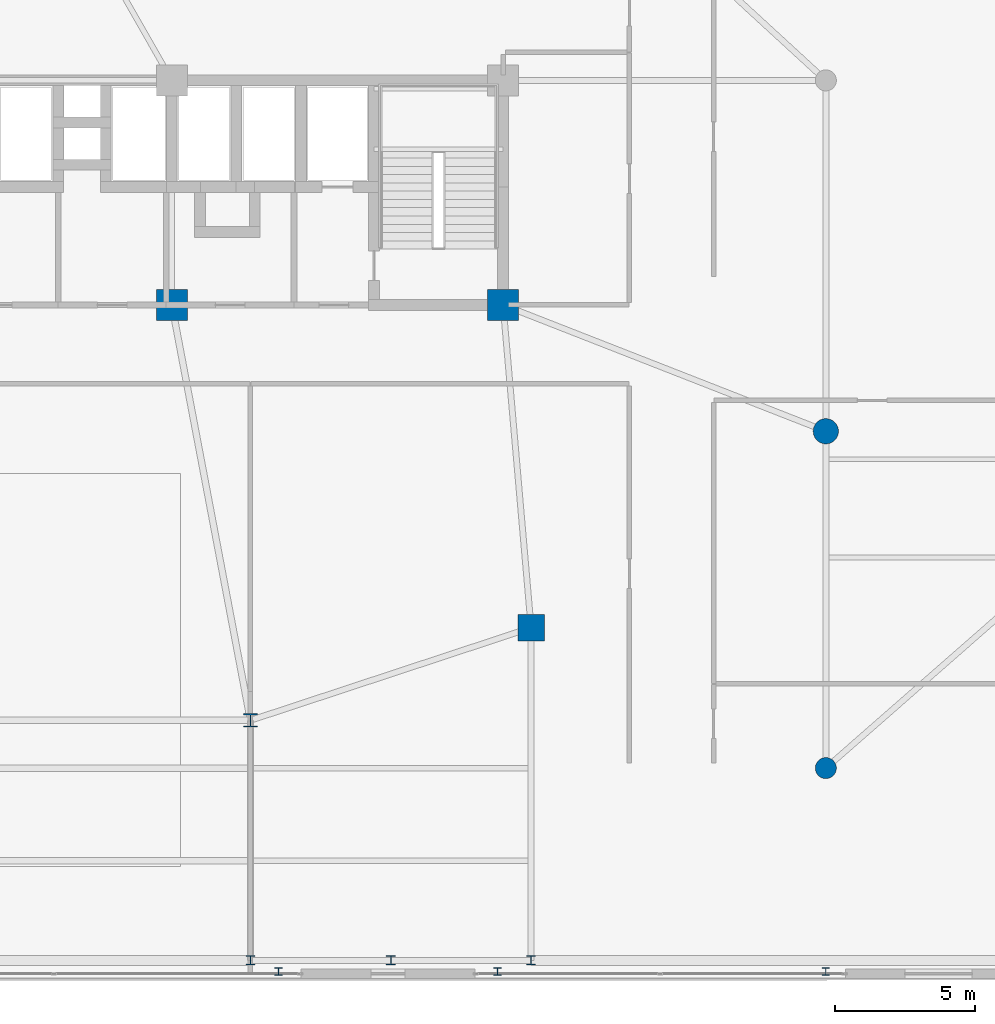
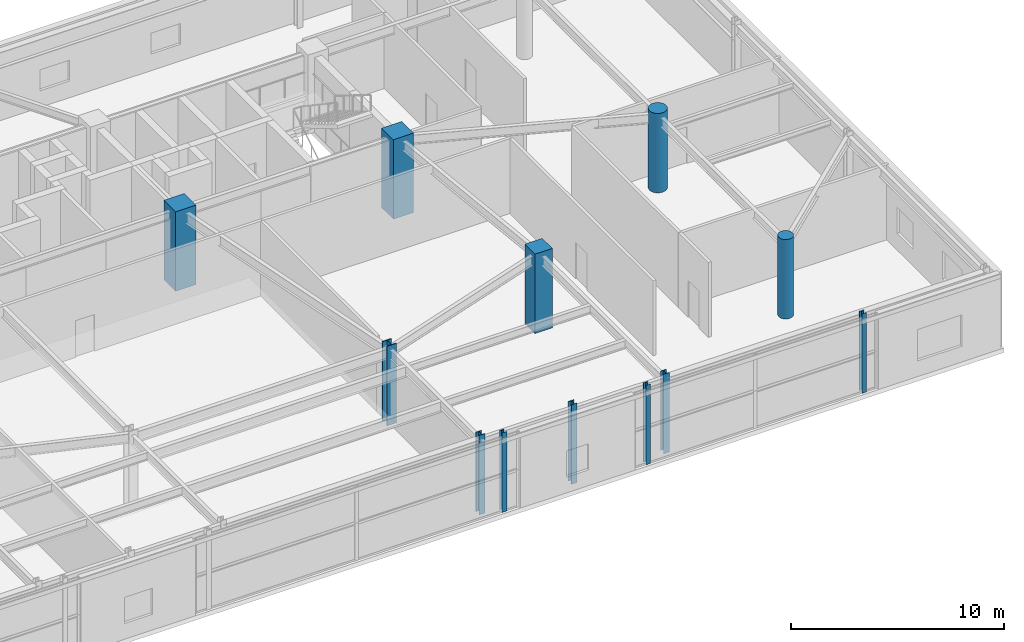
# One storey, part 3 of 26: 12 columns.
"""IFC4 building model written with IfcOpenShell, lengths in metres."""

from ifc_helpers import new_model, si_unit, direction, frame, origin, origin_2d, place, context, subcontext, project, spatial, rectangle, circle, i_section, extrude, source, transform, mapped, material, material_profile, profile_set, type_object, element, save


model = new_model("IFC4")

# Units and contexts
model_context = context("Model", 3, precision=1e-05, world=origin(), true_north=direction((0.0, 1.0)))
body_context = subcontext(model_context, "Body", "Model", "MODEL_VIEW")
ifc_project = project(units=[si_unit("LENGTHUNIT", "METRE"), si_unit("AREAUNIT", "SQUARE_METRE"), si_unit("VOLUMEUNIT", "CUBIC_METRE"), si_unit("PLANEANGLEUNIT", "RADIAN"), si_unit("MASSUNIT", "GRAM", prefix="KILO")], contexts=[model_context])

# Site, building, storey
site_placement = place(None, origin())
site = spatial("IfcSite", under=ifc_project, at=site_placement, CompositionType="ELEMENT")
building_placement = place(site_placement, origin())
building = spatial("IfcBuilding", under=site, at=building_placement, Name="Taldren Reach Tower", CompositionType="ELEMENT")
storey_placement = place(building_placement, frame((0.0, 0.0, 8.39990234375)))
storey = spatial("IfcBuildingStorey", under=building, at=storey_placement, Name="L02", CompositionType="ELEMENT", Elevation=8.39990234375)

# Columns
ifc_material_1 = material(Name="Concrete S100 (100 MPa)", Category="concrete")
ifc_material_profile_1 = material_profile(ifc_material_1, rectangle(XDim=1.10009765625, YDim=1.10009765625, at=origin_2d()), Name="RC-1100x1100")
ifc_profile_set_1 = profile_set([ifc_material_profile_1], Name="Concrete S100 (100 MPa)")
column_type_1 = type_object("IfcColumnType", Name="COL-RC1100", PredefinedType="COLUMN", material=ifc_profile_set_1)
shared_shape_1 = source(origin(), body_context, "Body", "SweptSolid", [
    extrude(rectangle(XDim=1.10009765625, YDim=1.10009765625, at=origin_2d()), origin(), (0.0, 0.0, 1.0), 4.550048828125),
])
for number, where, z_axis, x_axis, name in (
    (1, (39.199951171875, 24.0, 0.0), (0.0, 0.0, 1.0), (1.0, 0.0, 0.0), "Mega column MC-C3 L02"),
    (2, (51.0, 24.0, 0.0), (0.0, 0.0, 1.0), (1.0, 0.0, 0.0), "Mega column MC-C4 L02"),
):
    element("IfcColumn", number, at=place(storey_placement, frame(where, z_axis=z_axis, x_axis=x_axis)), inside=storey, type_object=column_type_1, Name=name, PredefinedType="COLUMN", context=body_context, shape_type="MappedRepresentation", body=[
        mapped(shared_shape_1, transform((0.0, 0.0, 0.0), scale=1.0)),
    ])
ifc_material_2 = material(Name="Steel Gr 350 (350PLUS)", Category="steel")
ifc_material_profile_2 = material_profile(ifc_material_2, i_section(OverallWidth=0.5, OverallDepth=0.47998046875, WebThickness=0.028076171875, FlangeThickness=0.0439453125, at=origin_2d()), Name="500WC440")
ifc_profile_set_2 = profile_set([ifc_material_profile_2], Name="Steel Gr 350 (350PLUS)")
column_type_2 = type_object("IfcColumnType", Name="COL-WC500A", PredefinedType="COLUMN", material=ifc_profile_set_2)
shared_shape_2 = source(origin(), body_context, "Body", "SweptSolid", [
    extrude(i_section(OverallWidth=0.5, OverallDepth=0.47998046875, WebThickness=0.028076171875, FlangeThickness=0.0439453125, at=origin_2d()), origin(), (0.0, 0.0, 1.0), 4.550048828125),
])
column_1_placement = place(storey_placement, frame((42.0, 9.199951171875, 0.0), z_axis=(0.0, 0.0, 1.0), x_axis=(1.0, 0.0, 0.0)))
element("IfcColumn", 3, at=column_1_placement, inside=storey, type_object=column_type_2, Name="Mega column MC-PJE L02", PredefinedType="COLUMN", context=body_context, shape_type="MappedRepresentation", body=[
    mapped(shared_shape_2, transform((0.0, 0.0, 0.0), scale=1.0)),
])
ifc_material_3 = material(Name="Concrete S80 (80 MPa)", Category="concrete")
ifc_material_profile_3 = material_profile(ifc_material_3, rectangle(XDim=0.949951171875, YDim=0.949951171875, at=origin_2d()), Name="RC-950x950")
ifc_profile_set_3 = profile_set([ifc_material_profile_3], Name="Concrete S80 (80 MPa)")
column_type_3 = type_object("IfcColumnType", Name="COL-RC950", PredefinedType="COLUMN", material=ifc_profile_set_3)
shared_shape_3 = source(origin(), body_context, "Body", "SweptSolid", [
    extrude(rectangle(XDim=0.949951171875, YDim=0.949951171875, at=origin_2d()), origin(), (0.0, 0.0, 1.0), 4.550048828125),
])
column_2_placement = place(storey_placement, frame((52.0, 12.5, 0.0), z_axis=(0.0, 0.0, 1.0), x_axis=(1.0, 0.0, 0.0)))
element("IfcColumn", 4, at=column_2_placement, inside=storey, type_object=column_type_3, Name="Mega column MC-SE L02", PredefinedType="COLUMN", context=body_context, shape_type="MappedRepresentation", body=[
    mapped(shared_shape_3, transform((0.0, 0.0, 0.0), scale=1.0)),
])
ifc_material_profile_4 = material_profile(ifc_material_3, circle(Radius=0.449951171875, at=origin_2d()), Name="RC-900D")
ifc_profile_set_4 = profile_set([ifc_material_profile_4], Name="Concrete S80 (80 MPa)")
column_type_4 = type_object("IfcColumnType", Name="COL-RCD900", PredefinedType="COLUMN", material=ifc_profile_set_4)
shared_shape_4 = source(origin(), body_context, "Body", "SweptSolid", [
    extrude(circle(Radius=0.449951171875, at=origin_2d()), origin(), (0.0, 0.0, 1.0), 4.550048828125),
])
column_3_placement = place(storey_placement, frame((62.5, 19.5, 0.0), z_axis=(0.0, 0.0, 1.0), x_axis=(1.0, 0.0, 0.0)))
element("IfcColumn", 5, at=column_3_placement, inside=storey, type_object=column_type_4, Name="Podium structural column PG-5 L02", PredefinedType="COLUMN", context=body_context, shape_type="MappedRepresentation", body=[
    mapped(shared_shape_4, transform((0.0, 0.0, 0.0), scale=1.0)),
])
ifc_material_4 = material(Name="Concrete S65 (65 MPa)", Category="concrete")
ifc_material_profile_5 = material_profile(ifc_material_4, circle(Radius=0.375, at=origin_2d()), Name="RC-750D")
ifc_profile_set_5 = profile_set([ifc_material_profile_5], Name="Concrete S65 (65 MPa)")
column_type_5 = type_object("IfcColumnType", Name="COL-RCD750", PredefinedType="COLUMN", material=ifc_profile_set_5)
shared_shape_5 = source(origin(), body_context, "Body", "SweptSolid", [
    extrude(circle(Radius=0.375, at=origin_2d()), origin(), (0.0, 0.0, 1.0), 4.550048828125),
])
column_4_placement = place(storey_placement, frame((62.5, 7.5, 0.0), z_axis=(0.0, 0.0, 1.0), x_axis=(1.0, 0.0, 0.0)))
element("IfcColumn", 6, at=column_4_placement, inside=storey, type_object=column_type_5, Name="Podium structural column PG-4 L02", PredefinedType="COLUMN", context=body_context, shape_type="MappedRepresentation", body=[
    mapped(shared_shape_5, transform((0.0, 0.0, 0.0), scale=1.0)),
])
ifc_material_profile_6 = material_profile(ifc_material_2, i_section(OverallWidth=0.31103515625, OverallDepth=0.326904296875, WebThickness=0.015625, FlangeThickness=0.02490234375, at=origin_2d()), Name="310UC158")
ifc_profile_set_6 = profile_set([ifc_material_profile_6], Name="Steel Gr 350 (350PLUS)")
column_type_6 = type_object("IfcColumnType", Name="COL-UC310A", PredefinedType="COLUMN", material=ifc_profile_set_6)
shared_shape_6 = source(origin(), body_context, "Body", "SweptSolid", [
    extrude(i_section(OverallWidth=0.31103515625, OverallDepth=0.326904296875, WebThickness=0.015625, FlangeThickness=0.02490234375, at=origin_2d()), origin(), (0.0, 0.0, 1.0), 4.550048828125),
])
for number, where, z_axis, x_axis, name in (
    (7, (42.0, 0.64990234375, 0.0), (0.0, 0.0, 1.0), (1.0, 0.0, 0.0), "Podium structural column PG-8 L02"),
    (8, (47.0, 0.64990234375, 0.0), (0.0, 0.0, 1.0), (1.0, 0.0, 0.0), "Podium structural column PP-S3 L02"),
    (9, (52.0, 0.64990234375, 0.0), (0.0, 0.0, 1.0), (1.0, 0.0, 0.0), "Podium structural column PP-S4 L02"),
):
    element("IfcColumn", number, at=place(storey_placement, frame(where, z_axis=z_axis, x_axis=x_axis)), inside=storey, type_object=column_type_6, Name=name, PredefinedType="COLUMN", context=body_context, shape_type="MappedRepresentation", body=[
        mapped(shared_shape_6, transform((0.0, 0.0, 0.0), scale=1.0)),
    ])
ifc_material_profile_7 = material_profile(ifc_material_2, i_section(OverallWidth=0.256103515625, OverallDepth=0.260009765625, WebThickness=0.010498046875, FlangeThickness=0.017333984375, at=origin_2d()), Name="250UC89.5")
ifc_profile_set_7 = profile_set([ifc_material_profile_7], Name="Steel Gr 350 (350PLUS)")
column_type_7 = type_object("IfcColumnType", Name="PIL-UC250", PredefinedType="PILASTER", material=ifc_profile_set_7)
shared_shape_7 = source(origin(), body_context, "Body", "SweptSolid", [
    extrude(i_section(OverallWidth=0.256103515625, OverallDepth=0.260009765625, WebThickness=0.010498046875, FlangeThickness=0.017333984375, at=origin_2d()), origin(), (0.0, 0.0, 1.0), 4.550048828125),
])
for number, where, z_axis, x_axis, name in (
    (10, (43.0, 0.25, 0.0), (0.0, 0.0, 1.0), (1.0, 0.0, 0.0), "Waterfront colonnade pilaster S-43.0 L02"),
    (11, (50.800048828125, 0.25, 0.0), (0.0, 0.0, 1.0), (1.0, 0.0, 0.0), "Waterfront colonnade pilaster S-50.8 L02"),
    (12, (62.5, 0.25, 0.0), (0.0, 0.0, 1.0), (1.0, 0.0, 0.0), "Waterfront colonnade pilaster S-62.5 L02"),
):
    element("IfcColumn", number, at=place(storey_placement, frame(where, z_axis=z_axis, x_axis=x_axis)), inside=storey, type_object=column_type_7, Name=name, PredefinedType="PILASTER", context=body_context, shape_type="MappedRepresentation", body=[
        mapped(shared_shape_7, transform((0.0, 0.0, 0.0), scale=1.0)),
    ])

save(model, "model.ifc")
